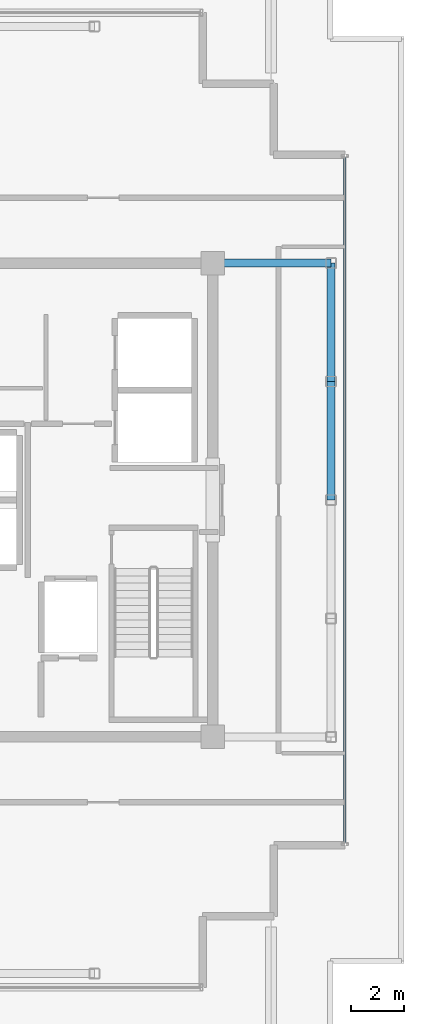
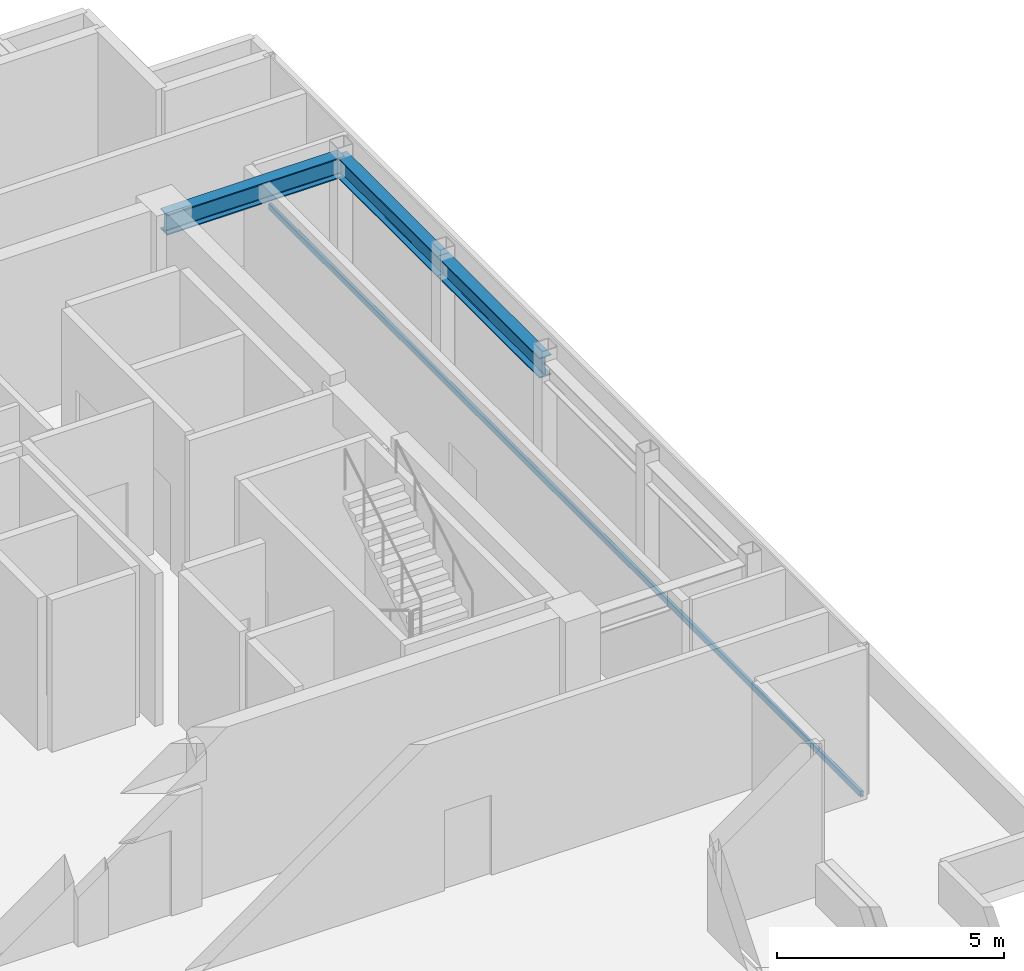
# One storey, part 5 of 14: 3 beams, 1 member, 1 element without a shape of its own.
"""IFC4 building model written with IfcOpenShell, lengths in metres."""

from ifc_helpers import new_model, si_unit, direction, frame, origin, origin_2d, place, context, subcontext, project, spatial, hollow_rectangle, i_section, extrude, source, transform, mapped, material, layer, layer_set, material_profile, profile_set, type_object, element, aggregate, save


model = new_model("IFC4")

# Units and contexts
model_context = context("Model", 3, precision=1e-05, world=origin(), true_north=direction((0.0, 1.0)))
body_context = subcontext(model_context, "Body", "Model", "MODEL_VIEW")
ifc_project = project(units=[si_unit("LENGTHUNIT", "METRE"), si_unit("AREAUNIT", "SQUARE_METRE"), si_unit("VOLUMEUNIT", "CUBIC_METRE"), si_unit("PLANEANGLEUNIT", "RADIAN"), si_unit("MASSUNIT", "GRAM", prefix="KILO")], contexts=[model_context])

# Site, building, storey
site_placement = place(None, origin())
site = spatial("IfcSite", under=ifc_project, at=site_placement, CompositionType="ELEMENT")
building_placement = place(site_placement, origin())
building = spatial("IfcBuilding", under=site, at=building_placement, Name="Nefas-Gora Pilgrimage Tower", CompositionType="ELEMENT")
storey_placement = place(building_placement, frame((0.0, 0.0, 358.60009765625)))
storey = spatial("IfcBuildingStorey", under=building, at=storey_placement, Name="L90", CompositionType="ELEMENT", Elevation=358.60009765625)

# Beams
ifc_material_1 = material(Name="Steel S355", Category="steel")
ifc_material_profile_1 = material_profile(ifc_material_1, i_section(OverallWidth=0.300048828125, OverallDepth=0.550048828125, WebThickness=0.014892578125, FlangeThickness=0.029052734375, FilletRadius=0.027099609375, at=origin_2d()), Name="HEB 550")
ifc_profile_set_1 = profile_set([ifc_material_profile_1], Name="Steel S355")
beam_type_1 = type_object("IfcBeamType", Name="BM-SPN-HEB400", PredefinedType="SPANDREL", material=ifc_profile_set_1)
shared_shape_1 = source(origin(), body_context, "Body", "SweptSolid", [
    extrude(i_section(OverallWidth=0.300048828125, OverallDepth=0.550048828125, WebThickness=0.014892578125, FlangeThickness=0.029052734375, FilletRadius=0.027099609375, at=origin_2d()), origin(), (0.0, 0.0, 1.0), 4.5),
])
for number, where, z_axis, x_axis, name in (
    (1, (15.75, 0.0, 3.824951171875), (0.0, 1.0, 0.0), (-1.0, 0.0, 0.0), "L90 SP-04 beam"),
    (2, (15.75, 4.5, 3.824951171875), (0.0, 1.0, 0.0), (-1.0, 0.0, 0.0), "L90 SP-04 beam"),
):
    element("IfcBeam", number, at=place(storey_placement, frame(where, z_axis=z_axis, x_axis=x_axis)), inside=storey, type_object=beam_type_1, Name=name, PredefinedType="SPANDREL", context=body_context, shape_type="MappedRepresentation", body=[
        mapped(shared_shape_1, transform((0.0, 0.0, 0.0), x_axis=(1.0, 0.0, 0.0), y_axis=(0.0, 1.0, 0.0), z_axis=(0.0, 0.0, 1.0), scale=1.0)),
    ])
ifc_material_profile_2 = material_profile(ifc_material_1, i_section(OverallWidth=0.300048828125, OverallDepth=0.550048828125, WebThickness=0.014892578125, FlangeThickness=0.029052734375, FilletRadius=0.027099609375, at=origin_2d()), Name="HEB 550")
ifc_profile_set_2 = profile_set([ifc_material_profile_2], Name="Steel S355")
beam_type_2 = type_object("IfcBeamType", Name="BM-GIR-HEB550", PredefinedType="BEAM", material=ifc_profile_set_2)
shared_shape_2 = source(origin(), body_context, "Body", "SweptSolid", [
    extrude(i_section(OverallWidth=0.300048828125, OverallDepth=0.550048828125, WebThickness=0.014892578125, FlangeThickness=0.029052734375, FilletRadius=0.027099609375, at=origin_2d()), origin(), (0.0, 0.0, 1.0), 4.5),
])
beam_placement = place(storey_placement, frame((11.25, 9.0, 3.824951171875), z_axis=(1.0, 0.0, 0.0), x_axis=(0.0, 1.0, 0.0)))
element("IfcBeam", 3, at=beam_placement, inside=storey, type_object=beam_type_2, Name="L90 G-05 beam", PredefinedType="BEAM", context=body_context, shape_type="MappedRepresentation", body=[
    mapped(shared_shape_2, transform((0.0, 0.0, 0.0), x_axis=(1.0, 0.0, 0.0), y_axis=(0.0, 1.0, 0.0), z_axis=(0.0, 0.0, 1.0), scale=1.0)),
])

# Curtain wall, member
ifc_material_2 = material(Name="Dark ceramic-fritted solar-control aluminium-glass curtain wall", Category="aluminium")
ifc_layer = layer(ifc_material_2, 0.219970703125)
ifc_layer_set = layer_set([ifc_layer], Name="Dark ceramic-fritted solar-control aluminium-glass curtain wall")
curtain_wall_type = type_object("IfcCurtainWallType", Name="CW-SYS-6", PredefinedType="NOTDEFINED", material=ifc_layer_set)
curtain_wall_placement = place(storey_placement, origin())
curtain_wall = element("IfcCurtainWall", 4, at=curtain_wall_placement, inside=storey, type_object=curtain_wall_type, Name="L90 Unitised Curtain Wall CW6", PredefinedType="NOTDEFINED")
ifc_material_3 = material(Name="Anodised architectural aluminium", Category="aluminium")
ifc_material_profile_3 = material_profile(ifc_material_3, hollow_rectangle(XDim=0.080078125, YDim=0.159912109375, WallThickness=0.00439453125, InnerFilletRadius=0.00439453125, OuterFilletRadius=0.009033203125, at=origin_2d()), Name="ALU TRANSOM 80x160")
ifc_profile_set_3 = profile_set([ifc_material_profile_3], Name="Anodised architectural aluminium")
member_type = type_object("IfcMemberType", Name="CWM-TRN-6", PredefinedType="USERDEFINED", material=ifc_profile_set_3)
shared_shape_3 = source(origin(), body_context, "Body", "SweptSolid", [
    extrude(hollow_rectangle(XDim=0.080078125, YDim=0.159912109375, WallThickness=0.00439453125, InnerFilletRadius=0.00439453125, OuterFilletRadius=0.009033203125, at=origin_2d()), origin(), (0.0, 0.0, 1.0), 26.06005859375),
])
member_placement = place(storey_placement, frame((16.27001953125, -13.030029296875, 0.0498046875), z_axis=(0.0, 1.0, 0.0), x_axis=(-1.0, 0.0, 0.0)))
member = element("IfcMember", 5, at=member_placement, type_object=member_type, Name="CW6 Spandrel Transom", ObjectType="TRANSOM", PredefinedType="USERDEFINED", context=body_context, shape_type="MappedRepresentation", body=[
    mapped(shared_shape_3, transform((0.0, 0.0, 0.0), x_axis=(1.0, 0.0, 0.0), y_axis=(0.0, 1.0, 0.0), z_axis=(0.0, 0.0, 1.0), scale=1.0)),
])
aggregate(curtain_wall, [member])

save(model, "model.ifc")
